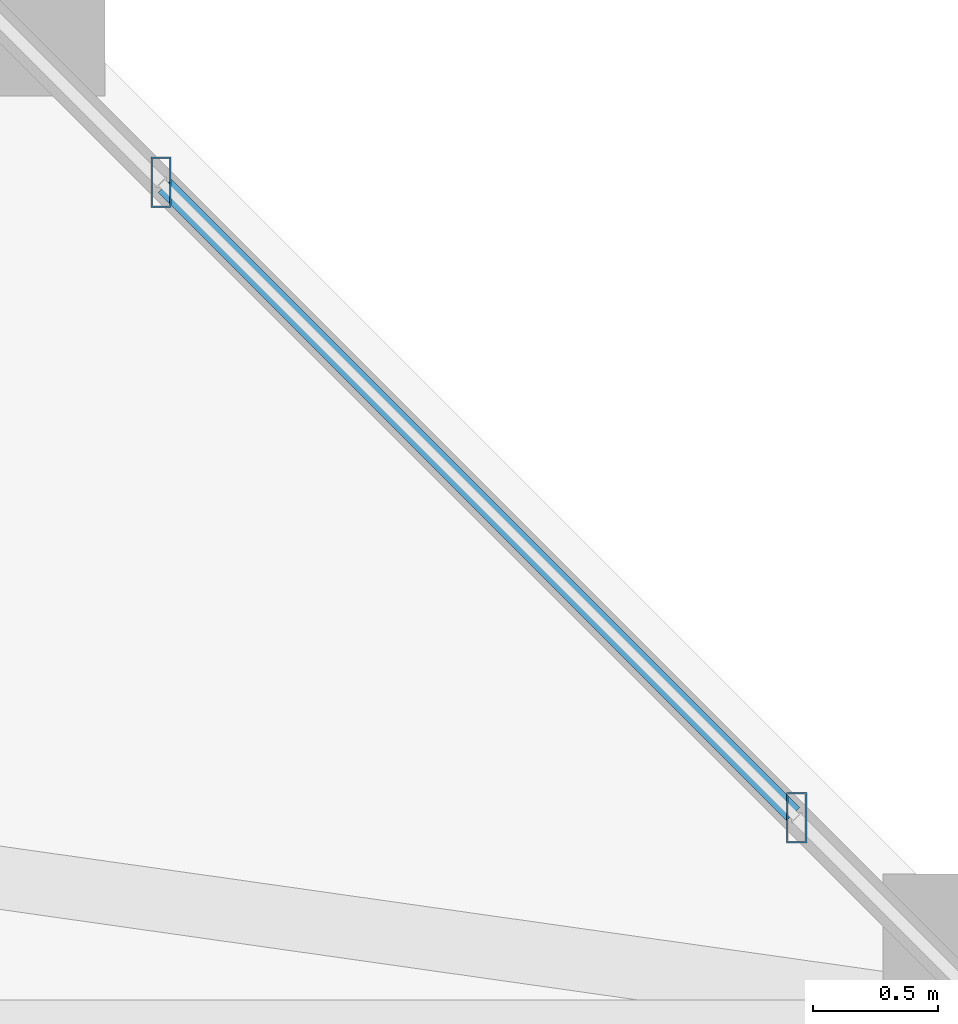
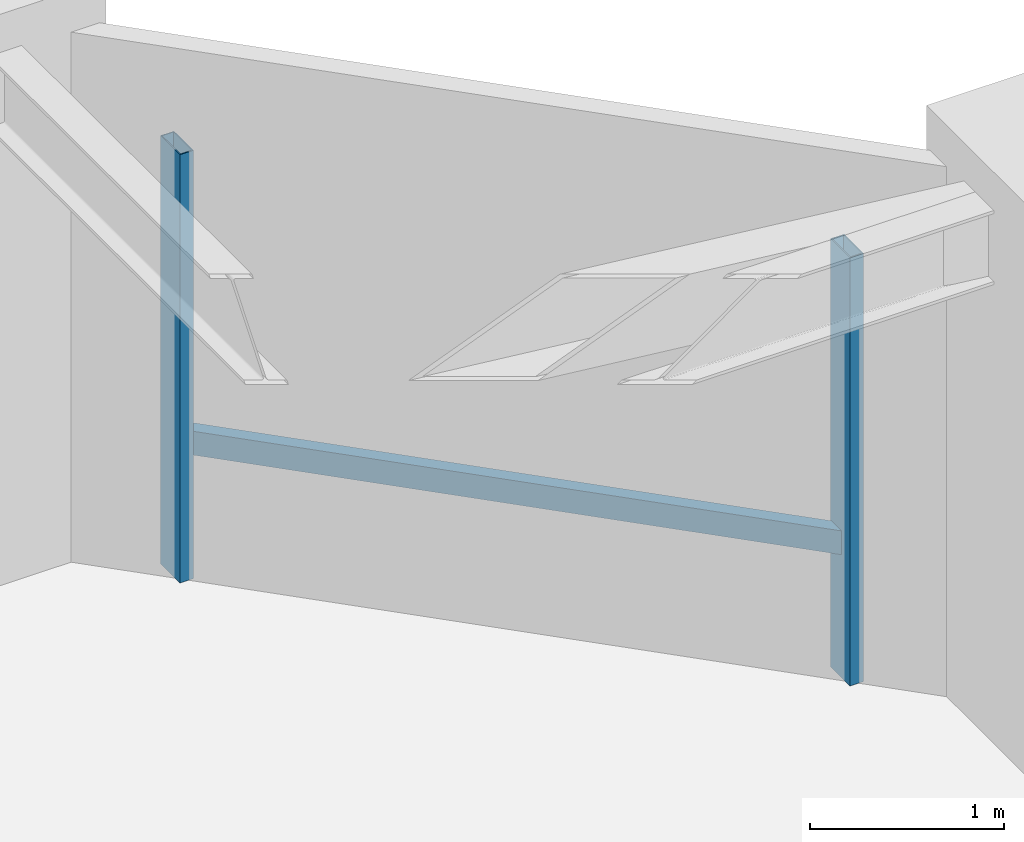
# One storey, part 9 of 33: 3 members, 1 element without a shape of its own.
"""IFC4 building model written with IfcOpenShell, lengths in metres."""

from ifc_helpers import new_model, si_unit, direction, frame, origin, origin_2d, place, context, subcontext, project, spatial, hollow_rectangle, extrude, material, material_profile, profile_set, type_object, element, aggregate, save


model = new_model("IFC4")

# Units and contexts
model_context = context("Model", 3, precision=1e-05, world=origin(), true_north=direction((0.0, 1.0)))
body_context = subcontext(model_context, "Body", "Model", "MODEL_VIEW")
ifc_project = project(units=[si_unit("LENGTHUNIT", "METRE"), si_unit("AREAUNIT", "SQUARE_METRE"), si_unit("VOLUMEUNIT", "CUBIC_METRE"), si_unit("PLANEANGLEUNIT", "RADIAN"), si_unit("MASSUNIT", "GRAM", prefix="KILO")], contexts=[model_context])

# Site, building, storey
site_placement = place(None, origin())
site = spatial("IfcSite", under=ifc_project, at=site_placement, CompositionType="ELEMENT")
building_placement = place(site_placement, origin())
building = spatial("IfcBuilding", under=site, at=building_placement, Name="Thornwick Lancets Civic Towers", CompositionType="ELEMENT")
storey_placement = place(building_placement, frame((0.0, 0.0, 130.5)))
storey = spatial("IfcBuildingStorey", under=building, at=storey_placement, Name="L34", CompositionType="ELEMENT", Elevation=130.5)

# Curtain wall, members
ifc_material_1 = material(Name="Mid-zone chamfered-corner unitised glass curtain wall", Category="glass")
curtain_wall_type = type_object("IfcCurtainWallType", Name="CW_SYS_04", PredefinedType="NOTDEFINED", material=ifc_material_1)
curtain_wall_placement = place(storey_placement, origin())
curtain_wall = element("IfcCurtainWall", 1, at=curtain_wall_placement, inside=storey, type_object=curtain_wall_type, Name="L34 Curtain Wall CW-L34-A-E3", PredefinedType="NOTDEFINED")
ifc_material_2 = material(Name="Thermally broken bronze aluminium S355", Category="steel")
ifc_material_profile_1 = material_profile(ifc_material_2, hollow_rectangle(XDim=0.080078125, YDim=0.199951171875, WallThickness=0.006103515625, at=origin_2d()), Name="RHS 200x80x6")
ifc_profile_set_1 = profile_set([ifc_material_profile_1], Name="Thermally broken bronze aluminium S355")
member_type_1 = type_object("IfcMemberType", Name="CW_MUL_200", PredefinedType="MULLION", material=ifc_profile_set_1)
member_1_placement = place(storey_placement, frame((41.855712890625, 40.823486328125, 0.0), z_axis=(0.0, 0.0, 1.0), x_axis=(1.0, 0.0, 0.0)))
member_1 = element("IfcMember", 2, at=member_1_placement, type_object=member_type_1, Name="CW-L34-A-E3 Mullion 0", PredefinedType="MULLION", context=body_context, shape_type="SweptSolid", body=[
    extrude(hollow_rectangle(XDim=0.080078125, YDim=0.199951171875, WallThickness=0.006103515625, at=origin_2d()), origin(), (0.0, 0.0, 1.0), 2.699951171875),
])
member_2_placement = place(storey_placement, frame((39.323486328125, 43.355712890625, 0.0), z_axis=(0.0, 0.0, 1.0), x_axis=(1.0, 0.0, 0.0)))
member_2 = element("IfcMember", 3, at=member_2_placement, type_object=member_type_1, Name="CW-L34-A-E3 Mullion 1", PredefinedType="MULLION", context=body_context, shape_type="SweptSolid", body=[
    extrude(hollow_rectangle(XDim=0.080078125, YDim=0.199951171875, WallThickness=0.006103515625, at=origin_2d()), origin(), (0.0, 0.0, 1.0), 2.699951171875),
])
ifc_material_profile_2 = material_profile(ifc_material_2, hollow_rectangle(XDim=0.074951171875, YDim=0.14990234375, WallThickness=0.0048828125, at=origin_2d()), Name="RHS 150x75x5")
ifc_profile_set_2 = profile_set([ifc_material_profile_2], Name="Thermally broken bronze aluminium S355")
member_type_2 = type_object("IfcMemberType", Name="CW_TRN_150", PredefinedType="USERDEFINED", material=ifc_profile_set_2)
member_3_placement = place(storey_placement, frame((41.841552734375, 40.837646484375, 0.85009765625), z_axis=(-0.707106781187, 0.707106781187, 0.0), x_axis=(-0.707106781187, -0.707106781187, 0.0)))
member_3 = element("IfcMember", 4, at=member_3_placement, type_object=member_type_2, Name="CW-L34-A-E3 Transom 0", ObjectType="TRANSOM", PredefinedType="USERDEFINED", context=body_context, shape_type="SweptSolid", body=[
    extrude(hollow_rectangle(XDim=0.074951171875, YDim=0.14990234375, WallThickness=0.0048828125, at=origin_2d()), origin(), (0.0, 0.0, 1.0), 3.541015625),
])
aggregate(curtain_wall, [member_1, member_2, member_3])

save(model, "model.ifc")
